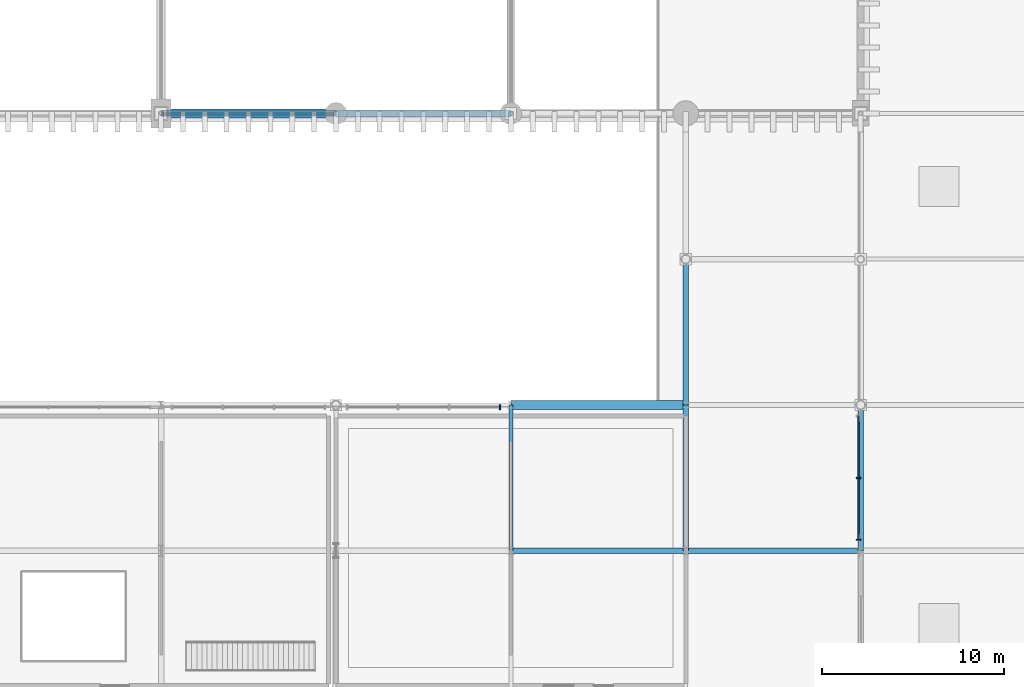
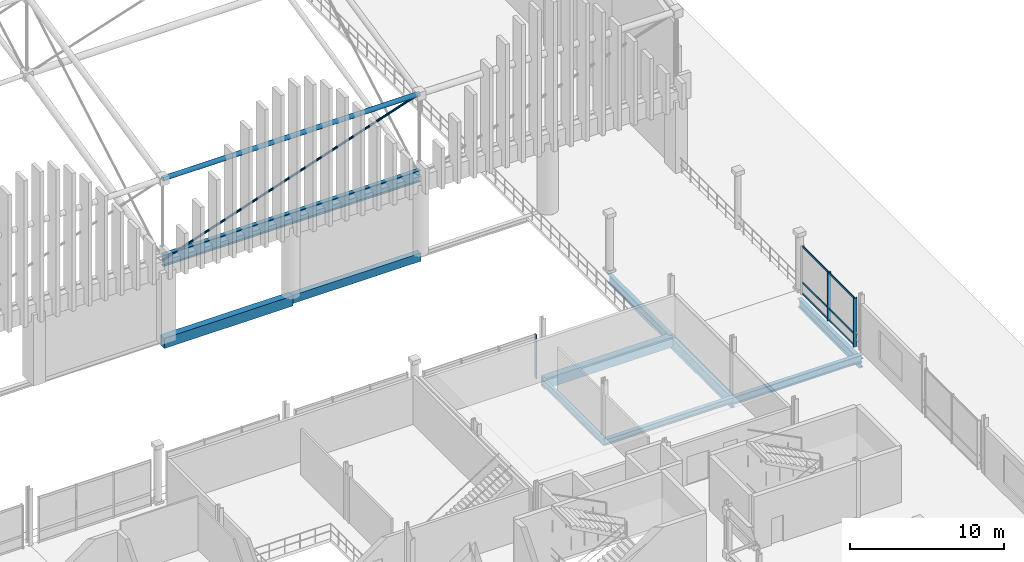
# One storey, part 44 of 193: 10 beams, 8 members, 2 elements without a shape of their own.
"""IFC4 building model written with IfcOpenShell, lengths in metres."""

from ifc_helpers import new_model, si_unit, direction, frame, origin, origin_2d, place, context, subcontext, project, spatial, rectangle, hollow_circle, i_section, extrude, material, material_profile, profile_set, type_object, element, aggregate, save


model = new_model("IFC4")

# Units and contexts
model_context = context("Model", 3, precision=1e-05, world=origin(), true_north=direction((0.0, 1.0)))
body_context = subcontext(model_context, "Body", "Model", "MODEL_VIEW")
ifc_project = project(units=[si_unit("LENGTHUNIT", "METRE"), si_unit("AREAUNIT", "SQUARE_METRE"), si_unit("VOLUMEUNIT", "CUBIC_METRE"), si_unit("PLANEANGLEUNIT", "RADIAN"), si_unit("MASSUNIT", "GRAM", prefix="KILO")], contexts=[model_context])

# Site, building, storey
site_placement = place(None, origin())
site = spatial("IfcSite", under=ifc_project, at=site_placement, CompositionType="ELEMENT")
building_placement = place(site_placement, origin())
building = spatial("IfcBuilding", under=site, at=building_placement, Name="Danafjord Basin Convention Centre", CompositionType="ELEMENT")
storey_placement = place(building_placement, frame((0.0, 0.0, 11.39990234375)))
storey = spatial("IfcBuildingStorey", under=building, at=storey_placement, Name="L02", CompositionType="ELEMENT", Elevation=11.39990234375)

# Beams
ifc_material_1 = material(Name="Steel S355", Category="steel")
ifc_material_profile_1 = material_profile(ifc_material_1, i_section(OverallWidth=0.300048828125, OverallDepth=0.590087890625, WebThickness=0.012939453125, FlangeThickness=0.02490234375, FilletRadius=0.027099609375, at=origin_2d()), Name="HEA 600")
ifc_profile_set_1 = profile_set([ifc_material_profile_1], Name="Steel S355")
beam_type_1 = type_object("IfcBeamType", Name="BEAM-BM-HEA600", PredefinedType="BEAM", material=ifc_profile_set_1)
beam_1_placement = place(storey_placement, frame((105.60009765625, 32.0, -0.544921875), z_axis=(1.0, 0.0, 0.0), x_axis=(0.0, 1.0, 0.0)))
element("IfcBeam", 1, at=beam_1_placement, inside=storey, type_object=beam_type_1, Name="L02 girder BM-HEA600", PredefinedType="BEAM", context=body_context, shape_type="SweptSolid", body=[
    extrude(i_section(OverallWidth=0.300048828125, OverallDepth=0.590087890625, WebThickness=0.012939453125, FlangeThickness=0.02490234375, FilletRadius=0.027099609375, at=origin_2d()), origin(), (0.0, 0.0, 1.0), 9.599853515625),
])
ifc_material_profile_2 = material_profile(ifc_material_1, i_section(OverallWidth=0.300048828125, OverallDepth=0.449951171875, WebThickness=0.013916015625, FlangeThickness=0.02587890625, FilletRadius=0.027099609375, at=origin_2d()), Name="HEB 450")
ifc_profile_set_2 = profile_set([ifc_material_profile_2], Name="Steel S355")
beam_type_2 = type_object("IfcBeamType", Name="BEAM-BM-HEB450", PredefinedType="BEAM", material=ifc_profile_set_2)
beam_2_placement = place(storey_placement, frame((96.0, 32.0, -0.474853515625), z_axis=(1.0, 0.0, 0.0), x_axis=(0.0, 1.0, 0.0)))
element("IfcBeam", 2, at=beam_2_placement, inside=storey, type_object=beam_type_2, Name="L02 girder BM-HEB450", PredefinedType="BEAM", context=body_context, shape_type="SweptSolid", body=[
    extrude(i_section(OverallWidth=0.300048828125, OverallDepth=0.449951171875, WebThickness=0.013916015625, FlangeThickness=0.02587890625, FilletRadius=0.027099609375, at=origin_2d()), origin(), (0.0, 0.0, 1.0), 9.60009765625),
])
ifc_material_profile_3 = material_profile(ifc_material_1, i_section(OverallWidth=0.300048828125, OverallDepth=0.699951171875, WebThickness=0.01708984375, FlangeThickness=0.031982421875, FilletRadius=0.027099609375, at=origin_2d()), Name="HEB 700")
ifc_profile_set_3 = profile_set([ifc_material_profile_3], Name="Steel S355")
beam_type_3 = type_object("IfcBeamType", Name="BEAM-BM-HEB700", PredefinedType="BEAM", material=ifc_profile_set_3)
for number, where, z_axis, x_axis, name in (
    (3, (105.60009765625, 40.0, -0.579833984375), (0.0, 1.0, 0.0), (-1.0, 0.0, 0.0), "L02 transverse girder BM-HEB700"),
    (4, (115.199951171875, 32.0, -1.014892578125), (0.0, 1.0, 0.0), (-1.0, 0.0, 0.0), "L02 transverse girder BM-HEB700"),
):
    element("IfcBeam", number, at=place(storey_placement, frame(where, z_axis=z_axis, x_axis=x_axis)), inside=storey, type_object=beam_type_3, Name=name, PredefinedType="BEAM", context=body_context, shape_type="SweptSolid", body=[
        extrude(i_section(OverallWidth=0.300048828125, OverallDepth=0.699951171875, WebThickness=0.01708984375, FlangeThickness=0.031982421875, FilletRadius=0.027099609375, at=origin_2d()), origin(), (0.0, 0.0, 1.0), 8.0),
    ])
ifc_material_profile_4 = material_profile(ifc_material_1, i_section(OverallWidth=0.300048828125, OverallDepth=0.89990234375, WebThickness=0.0185546875, FlangeThickness=0.034912109375, FilletRadius=0.030029296875, at=origin_2d()), Name="HEB 900")
ifc_profile_set_4 = profile_set([ifc_material_profile_4], Name="Steel S355")
beam_type_4 = type_object("IfcBeamType", Name="BEAM-BM-HEB900", PredefinedType="BEAM", material=ifc_profile_set_4)
beam_3_placement = place(storey_placement, frame((105.60009765625, 32.0, -0.699951171875), z_axis=(0.0, 1.0, 0.0), x_axis=(-1.0, 0.0, 0.0)))
element("IfcBeam", 5, at=beam_3_placement, inside=storey, type_object=beam_type_4, Name="L02 transverse girder BM-HEB900", PredefinedType="BEAM", context=body_context, shape_type="SweptSolid", body=[
    extrude(i_section(OverallWidth=0.300048828125, OverallDepth=0.89990234375, WebThickness=0.0185546875, FlangeThickness=0.034912109375, FilletRadius=0.030029296875, at=origin_2d()), origin(), (0.0, 0.0, 1.0), 8.0),
])
beam_4_placement = place(storey_placement, frame((76.800048828125, 56.0, 6.050048828125), z_axis=(1.0, 0.0, 0.0), x_axis=(0.0, 1.0, 0.0)))
element("IfcBeam", 6, at=beam_4_placement, inside=storey, type_object=beam_type_4, Name="V1 space-frame perimeter ring girder", PredefinedType="BEAM", context=body_context, shape_type="SweptSolid", body=[
    extrude(i_section(OverallWidth=0.300048828125, OverallDepth=0.89990234375, WebThickness=0.0185546875, FlangeThickness=0.034912109375, FilletRadius=0.030029296875, at=origin_2d()), origin(), (0.0, 0.0, 1.0), 19.199951171875),
])
ifc_material_profile_5 = material_profile(ifc_material_1, i_section(OverallWidth=0.2099609375, OverallDepth=0.550048828125, WebThickness=0.010986328125, FlangeThickness=0.01708984375, FilletRadius=0.02392578125, at=origin_2d()), Name="IPE 550")
ifc_profile_set_5 = profile_set([ifc_material_profile_5], Name="Steel S355")
beam_type_5 = type_object("IfcBeamType", Name="BEAM-BM-IPE550", PredefinedType="BEAM", material=ifc_profile_set_5)
beam_5_placement = place(storey_placement, frame((96.0, 32.0, -0.52490234375), z_axis=(0.0, 1.0, 0.0), x_axis=(-1.0, 0.0, 0.0)))
element("IfcBeam", 7, at=beam_5_placement, inside=storey, type_object=beam_type_5, Name="L02 transverse girder BM-IPE550", PredefinedType="BEAM", context=body_context, shape_type="SweptSolid", body=[
    extrude(i_section(OverallWidth=0.2099609375, OverallDepth=0.550048828125, WebThickness=0.010986328125, FlangeThickness=0.01708984375, FilletRadius=0.02392578125, at=origin_2d()), origin(), (0.0, 0.0, 1.0), 8.0),
])
ifc_material_2 = material(Name="Precast concrete C45/55", Category="concrete")
ifc_material_profile_6 = material_profile(ifc_material_2, rectangle(XDim=0.39990234375, YDim=0.64990234375, at=origin_2d()), Name="PCB 400x650")
ifc_profile_set_6 = profile_set([ifc_material_profile_6], Name="Precast concrete C45/55")
beam_type_6 = type_object("IfcBeamType", Name="BEAM-SP-PCB650", PredefinedType="SPANDREL", material=ifc_profile_set_6)
beam_6_placement = place(storey_placement, frame((86.39990234375, 56.0, -0.324951171875), z_axis=(1.0, 0.0, 0.0), x_axis=(0.0, 1.0, 0.0)))
element("IfcBeam", 8, at=beam_6_placement, inside=storey, type_object=beam_type_6, Name="L02 girder SP-PCB650", PredefinedType="SPANDREL", context=body_context, shape_type="SweptSolid", body=[
    extrude(rectangle(XDim=0.39990234375, YDim=0.64990234375, at=origin_2d()), origin(), (0.0, 0.0, 1.0), 9.60009765625),
])
ifc_material_profile_7 = material_profile(ifc_material_2, rectangle(XDim=0.5, YDim=0.800048828125, at=origin_2d()), Name="PCB 500x800")
ifc_profile_set_7 = profile_set([ifc_material_profile_7], Name="Precast concrete C45/55")
beam_type_7 = type_object("IfcBeamType", Name="BEAM-SP-PCB800", PredefinedType="SPANDREL", material=ifc_profile_set_7)
beam_7_placement = place(storey_placement, frame((76.800048828125, 56.0, -0.39990234375), z_axis=(1.0, 0.0, 0.0), x_axis=(0.0, 1.0, 0.0)))
element("IfcBeam", 9, at=beam_7_placement, inside=storey, type_object=beam_type_7, Name="L02 girder SP-PCB800", PredefinedType="SPANDREL", context=body_context, shape_type="SweptSolid", body=[
    extrude(rectangle(XDim=0.5, YDim=0.800048828125, at=origin_2d()), origin(), (0.0, 0.0, 1.0), 9.599853515625),
])
beam_8_placement = place(storey_placement, frame((96.0, 40.0, -0.64990234375), z_axis=(1.0, 0.0, 0.0), x_axis=(0.0, 1.0, 0.0)))
element("IfcBeam", 10, at=beam_8_placement, inside=storey, type_object=beam_type_7, Name="L02 girder SP-PCB800", PredefinedType="SPANDREL", context=body_context, shape_type="SweptSolid", body=[
    extrude(rectangle(XDim=0.5, YDim=0.800048828125, at=origin_2d()), origin(), (0.0, 0.0, 1.0), 9.60009765625),
])

# Member
ifc_material_profile_8 = material_profile(ifc_material_1, hollow_circle(Radius=0.177734375, WallThickness=0.01611328125, at=origin_2d()), Name="CHS 355.6x16.0")
ifc_profile_set_8 = profile_set([ifc_material_profile_8], Name="Steel S355")
member_type_1 = type_object("IfcMemberType", Name="MEM-CH-CHS355", PredefinedType="CHORD", material=ifc_profile_set_8)
member_1_placement = place(storey_placement, frame((76.800048828125, 56.0, 12.47509765625), z_axis=(1.0, 0.0, 0.0), x_axis=(0.0, 1.0, 0.0)))
element("IfcMember", 11, at=member_1_placement, inside=storey, type_object=member_type_1, Name="V1 roof truss longitudinal top chord", PredefinedType="CHORD", context=body_context, shape_type="SweptSolid", body=[
    extrude(hollow_circle(Radius=0.177734375, WallThickness=0.01611328125, at=origin_2d()), origin(), (0.0, 0.0, 1.0), 19.199951171875),
])

# Curtain wall, member
ifc_material_3 = material(Name="Anodised aluminium and triple glazing", Category="aluminium")
curtain_wall_type = type_object("IfcCurtainWallType", Name="CW-CW-TERR", PredefinedType="NOTDEFINED", material=ifc_material_3)
curtain_wall_1_placement = place(storey_placement, origin())
curtain_wall_1 = element("IfcCurtainWall", 12, at=curtain_wall_1_placement, inside=storey, type_object=curtain_wall_type, Name="L02 CW-TERR unitised curtain wall bay 68", PredefinedType="NOTDEFINED")
ifc_material_4 = material(Name="Anodised aluminium EN AW-6060", Category="aluminium")
ifc_material_profile_9 = material_profile(ifc_material_4, rectangle(XDim=0.070068359375, YDim=0.260009765625, at=origin_2d()), Name="MULL 70x260")
ifc_profile_set_9 = profile_set([ifc_material_profile_9], Name="Anodised aluminium EN AW-6060")
member_type_2 = type_object("IfcMemberType", Name="MEM-ML-260", PredefinedType="MULLION", material=ifc_profile_set_9)
member_2_placement = place(storey_placement, frame((95.39990234375, 39.8798828125, -0.02490234375), z_axis=(0.0, 0.0, 1.0), x_axis=(-1.0, 0.0, 0.0)))
member_2 = element("IfcMember", 13, at=member_2_placement, type_object=member_type_2, Name="CW-L02-068 mullion 1", PredefinedType="MULLION", context=body_context, shape_type="SweptSolid", body=[
    extrude(rectangle(XDim=0.070068359375, YDim=0.260009765625, at=origin_2d()), origin(), (0.0, 0.0, 1.0), 3.485107421875),
])
aggregate(curtain_wall_1, [member_2])

# Curtain wall, members
curtain_wall_2_placement = place(storey_placement, origin())
curtain_wall_2 = element("IfcCurtainWall", 14, at=curtain_wall_2_placement, inside=storey, type_object=curtain_wall_type, Name="L02 CW-TERR unitised curtain wall bay 73", PredefinedType="NOTDEFINED")
member_3_placement = place(storey_placement, frame((115.080078125, 32.60009765625, -0.02490234375), z_axis=(0.0, 0.0, 1.0), x_axis=(0.0, 1.0, 0.0)))
member_3 = element("IfcMember", 15, at=member_3_placement, type_object=member_type_2, Name="CW-L02-073 mullion 1", PredefinedType="MULLION", context=body_context, shape_type="SweptSolid", body=[
    extrude(rectangle(XDim=0.070068359375, YDim=0.260009765625, at=origin_2d()), origin(), (0.0, 0.0, 1.0), 3.8701171875),
])
member_4_placement = place(storey_placement, frame((115.080078125, 36.0, -0.02490234375), z_axis=(0.0, 0.0, 1.0), x_axis=(0.0, 1.0, 0.0)))
member_4 = element("IfcMember", 16, at=member_4_placement, type_object=member_type_2, Name="CW-L02-073 mullion 2", PredefinedType="MULLION", context=body_context, shape_type="SweptSolid", body=[
    extrude(rectangle(XDim=0.070068359375, YDim=0.260009765625, at=origin_2d()), origin(), (0.0, 0.0, 1.0), 3.8701171875),
])
ifc_material_profile_10 = material_profile(ifc_material_4, rectangle(XDim=0.06005859375, YDim=0.14990234375, at=origin_2d()), Name="TRAN 60x150")
ifc_profile_set_10 = profile_set([ifc_material_profile_10], Name="Anodised aluminium EN AW-6060")
member_type_3 = type_object("IfcMemberType", Name="MEM-TR-150", PredefinedType="USERDEFINED", material=ifc_profile_set_10)
member_5_placement = place(storey_placement, frame((115.080078125, 32.60009765625, 0.06005859375), z_axis=(0.0, 1.0, 0.0), x_axis=(-1.0, 0.0, 0.0)))
member_5 = element("IfcMember", 17, at=member_5_placement, type_object=member_type_3, Name="CW-L02-073 transom 1", ObjectType="TRANSOM", PredefinedType="USERDEFINED", context=body_context, shape_type="SweptSolid", body=[
    extrude(rectangle(XDim=0.06005859375, YDim=0.14990234375, at=origin_2d()), origin(), (0.0, 0.0, 1.0), 6.7998046875),
])
member_6_placement = place(storey_placement, frame((115.080078125, 32.60009765625, 0.9501953125), z_axis=(0.0, 1.0, 0.0), x_axis=(-1.0, 0.0, 0.0)))
member_6 = element("IfcMember", 18, at=member_6_placement, type_object=member_type_3, Name="CW-L02-073 transom 2", ObjectType="TRANSOM", PredefinedType="USERDEFINED", context=body_context, shape_type="SweptSolid", body=[
    extrude(rectangle(XDim=0.06005859375, YDim=0.14990234375, at=origin_2d()), origin(), (0.0, 0.0, 1.0), 6.7998046875),
])
member_7_placement = place(storey_placement, frame((115.080078125, 32.60009765625, 3.775146484375), z_axis=(0.0, 1.0, 0.0), x_axis=(-1.0, 0.0, 0.0)))
member_7 = element("IfcMember", 19, at=member_7_placement, type_object=member_type_3, Name="CW-L02-073 transom 3", ObjectType="TRANSOM", PredefinedType="USERDEFINED", context=body_context, shape_type="SweptSolid", body=[
    extrude(rectangle(XDim=0.06005859375, YDim=0.14990234375, at=origin_2d()), origin(), (0.0, 0.0, 1.0), 6.7998046875),
])
aggregate(curtain_wall_2, [member_3, member_4, member_5, member_6, member_7])

# Member
ifc_material_profile_11 = material_profile(ifc_material_1, hollow_circle(Radius=0.084228515625, WallThickness=0.008056640625, at=origin_2d()), Name="CHS 168.3x8.0")
ifc_profile_set_11 = profile_set([ifc_material_profile_11], Name="Steel S355")
member_type_4 = type_object("IfcMemberType", Name="MEM-WB-CHS168", PredefinedType="MEMBER", material=ifc_profile_set_11)
member_8_placement = place(storey_placement, frame((76.800048828125, 56.0, 6.050048828125), z_axis=(0.948311244058, 0.0, 0.317341747007), x_axis=(0.0, 1.0, 0.0)))
element("IfcMember", 20, at=member_8_placement, inside=storey, type_object=member_type_4, Name="V1 space-frame longitudinal web", PredefinedType="MEMBER", context=body_context, shape_type="SweptSolid", body=[
    extrude(hollow_circle(Radius=0.084228515625, WallThickness=0.008056640625, at=origin_2d()), origin(), (0.0, 0.0, 1.0), 20.24658203125),
])

save(model, "model.ifc")
